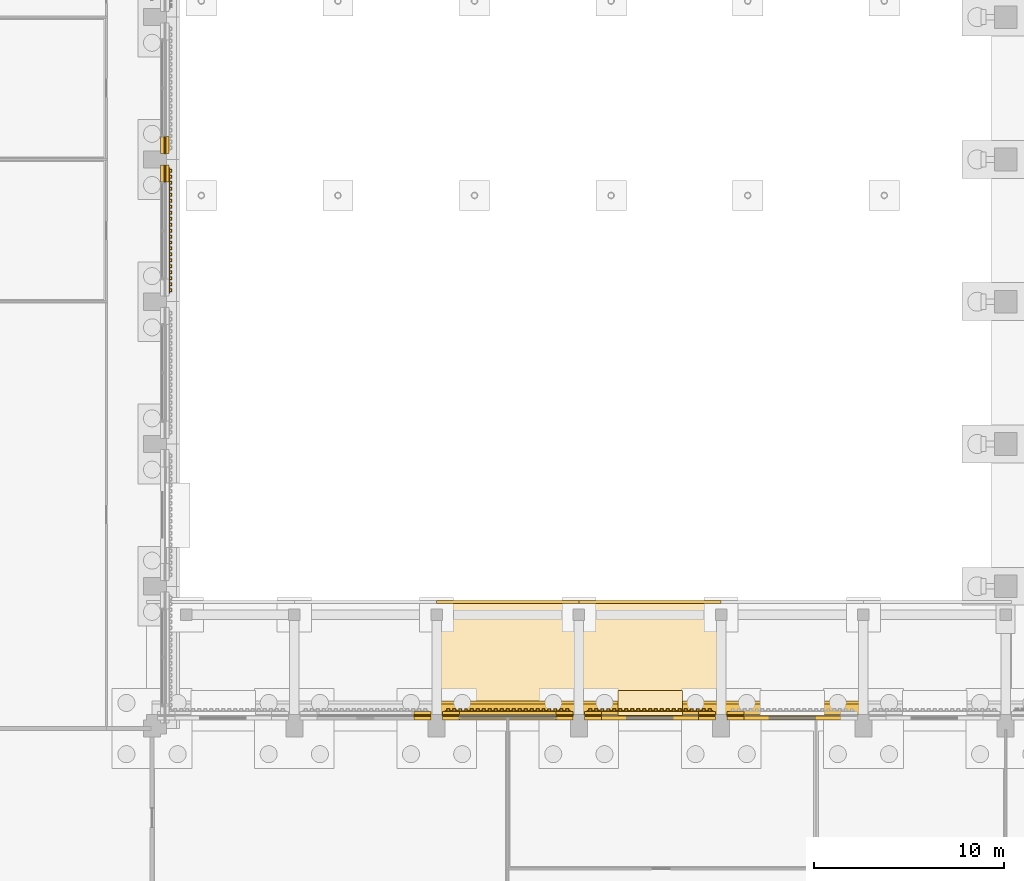
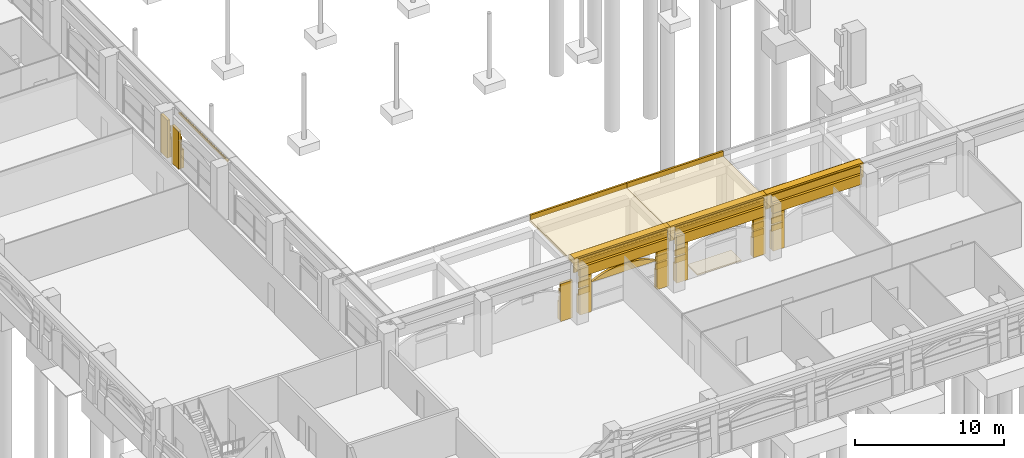
# One storey, part 73 of 99: 47 coverings, 1 element without a shape of its own.
"""IFC4 building model written with IfcOpenShell, lengths in metres."""

from ifc_helpers import new_model, si_unit, direction, frame, origin, place, context, subcontext, project, spatial, polyline, outline, extrude, material, layer, layer_set, type_object, element, aggregate, save


model = new_model("IFC4")

# Units and contexts
model_context = context("Model", 3, precision=1e-05, world=origin(), true_north=direction((0.0, 1.0)))
body_context = subcontext(model_context, "Body", "Model", "MODEL_VIEW")
ifc_project = project(units=[si_unit("LENGTHUNIT", "METRE"), si_unit("AREAUNIT", "SQUARE_METRE"), si_unit("VOLUMEUNIT", "CUBIC_METRE"), si_unit("PLANEANGLEUNIT", "RADIAN"), si_unit("MASSUNIT", "GRAM", prefix="KILO")], contexts=[model_context])

# Site, building, storey
site_placement = place(None, origin())
site = spatial("IfcSite", under=ifc_project, at=site_placement, CompositionType="ELEMENT")
building_placement = place(site_placement, origin())
building = spatial("IfcBuilding", under=site, at=building_placement, Name="Cour d'Honneur Mobility Palace", CompositionType="ELEMENT")
storey_placement = place(building_placement, origin())
storey = spatial("IfcBuildingStorey", under=building, at=storey_placement, Name="L00", CompositionType="ELEMENT", Elevation=0.0)

# Roof, coverings
ifc_material_1 = material(Name="Concrete C50", Category="concrete")
ifc_layer_1 = layer(ifc_material_1, 0.199951171875)
ifc_layer_set_1 = layer_set([ifc_layer_1], Name="Concrete C50")
roof_type = type_object("IfcRoofType", Name="Arcade canopy", PredefinedType="FLAT_ROOF", material=ifc_layer_set_1)
roof_placement = place(storey_placement, origin())
roof = element("IfcRoof", 1, at=roof_placement, inside=storey, type_object=roof_type, Name="Arcade canopy W", PredefinedType="FLAT_ROOF")
ifc_material_2 = material(Name="Concrete C50", Category="concrete")
ifc_layer_2 = layer(ifc_material_2, 0.199951171875)
ifc_layer_set_2 = layer_set([ifc_layer_2], Name="Concrete C50")
covering_type_1 = type_object("IfcCoveringType", Name="Arcade canopy slab 200", PredefinedType="ROOFING", material=ifc_layer_set_2)
covering_1_placement = place(storey_placement, frame((0.0, 0.0, 4.0)))
covering_1 = element("IfcCovering", 2, at=covering_1_placement, type_object=covering_type_1, Name="Arcade canopy slab AS-W3", PredefinedType="ROOFING", context=body_context, shape_type="SweptSolid", body=[
    extrude(outline(polyline([(32.39990234375, 63.14990234375), (39.89990234375, 63.14990234375), (39.89990234375, 69.14990234375), (32.39990234375, 69.14990234375), (32.39990234375, 63.14990234375)])), origin(), (0.0, 0.0, 1.0), 0.199951171875),
])
covering_2_placement = place(storey_placement, frame((0.0, 0.0, 4.0)))
covering_2 = element("IfcCovering", 3, at=covering_2_placement, type_object=covering_type_1, Name="Arcade canopy slab AS-W4", PredefinedType="ROOFING", context=body_context, shape_type="SweptSolid", body=[
    extrude(outline(polyline([(39.89990234375, 63.14990234375), (47.39990234375, 63.14990234375), (47.39990234375, 69.14990234375), (39.89990234375, 69.14990234375), (39.89990234375, 63.14990234375)])), origin(), (0.0, 0.0, 1.0), 0.199951171875),
])
ifc_material_3 = material(Name="Concrete C50", Category="concrete")
ifc_layer_3 = layer(ifc_material_3, 0.14990234375)
ifc_layer_set_3 = layer_set([ifc_layer_3], Name="Concrete C50")
covering_type_2 = type_object("IfcCoveringType", Name="Arcade parapet 400", PredefinedType="CLADDING", material=ifc_layer_set_3)
covering_3_placement = place(storey_placement, frame((0.0, 0.0, 4.199951171875)))
covering_3 = element("IfcCovering", 4, at=covering_3_placement, type_object=covering_type_2, Name="Arcade parapet AP-W3", PredefinedType="CLADDING", context=body_context, shape_type="SweptSolid", body=[
    extrude(outline(polyline([(32.39990234375, 69.0), (39.89990234375, 69.0), (39.89990234375, 69.14990234375), (32.39990234375, 69.14990234375), (32.39990234375, 69.0)])), origin(), (0.0, 0.0, 1.0), 0.400146484375),
])
covering_4_placement = place(storey_placement, frame((0.0, 0.0, 4.199951171875)))
covering_4 = element("IfcCovering", 5, at=covering_4_placement, type_object=covering_type_2, Name="Arcade parapet AP-W4", PredefinedType="CLADDING", context=body_context, shape_type="SweptSolid", body=[
    extrude(outline(polyline([(39.89990234375, 69.0), (47.39990234375, 69.0), (47.39990234375, 69.14990234375), (39.89990234375, 69.14990234375), (39.89990234375, 69.0)])), origin(), (0.0, 0.0, 1.0), 0.400146484375),
])
aggregate(roof, [covering_1, covering_3, covering_2, covering_4])

# Coverings
ifc_material_4 = material(Name="Cast limestone", Category="masonry")
ifc_layer_4 = layer(ifc_material_4, 0.199951171875)
ifc_layer_set_4 = layer_set([ifc_layer_4], Name="Cast limestone")
covering_type_3 = type_object("IfcCoveringType", Name="Arch tympanum panel", PredefinedType="CLADDING", material=ifc_layer_set_4)
covering_5_placement = place(storey_placement, frame((38.699951171875, 63.050048828125, 2.39990234375), z_axis=(0.0, 1.0, 0.0), x_axis=(-1.0, 0.0, 0.0)))
element("IfcCovering", 6, at=covering_5_placement, inside=storey, type_object=covering_type_3, Name="Arch tympanum panel TP-9", PredefinedType="CLADDING", context=body_context, shape_type="SweptSolid", body=[
    extrude(outline(polyline([(0.0, 0.0), (5.099853515625, 0.0), (5.099853515625, 0.0), (4.78125, 0.160400390625), (4.46240234375, 0.294921875), (4.143798828125, 0.406005859375), (3.824951171875, 0.495361328125), (3.506103515625, 0.5634765625), (3.1875, 0.61181640625), (2.86865234375, 0.640625), (2.550048828125, 0.650146484375), (2.231201171875, 0.640625), (1.912353515625, 0.61181640625), (1.59375, 0.5634765625), (1.27490234375, 0.495361328125), (0.956298828125, 0.406005859375), (0.637451171875, 0.294921875), (0.318603515625, 0.160400390625), (0.0, 0.0), (0.0, 0.0)])), origin(), (0.0, 0.0, -1.0), 0.199951171875),
])
ifc_material_5 = material(Name="Cast limestone", Category="masonry")
ifc_layer_5 = layer(ifc_material_5, 0.14990234375)
ifc_layer_set_5 = layer_set([ifc_layer_5], Name="Cast limestone")
covering_type_4 = type_object("IfcCoveringType", Name="Dentil course", PredefinedType="CLADDING", material=ifc_layer_set_5)
covering_6_placement = place(storey_placement, frame((0.0, 0.0, 3.949951171875)))
element("IfcCovering", 7, at=covering_6_placement, inside=storey, type_object=covering_type_4, Name="Dentil course DC-51", PredefinedType="CLADDING", context=body_context, shape_type="SweptSolid", body=[
    extrude(outline(polyline([(46.949951171875, 63.300048828125), (40.35009765625, 63.300048828125), (40.35009765625, 63.330078125), (40.35009765625, 63.330078125), (40.428466796875, 63.330078125), (40.428466796875, 63.449951171875), (40.585693359375, 63.449951171875), (40.585693359375, 63.330078125), (40.664306640625, 63.330078125), (40.664306640625, 63.330078125), (40.742919921875, 63.330078125), (40.742919921875, 63.449951171875), (40.89990234375, 63.449951171875), (40.89990234375, 63.330078125), (40.978515625, 63.330078125), (40.978515625, 63.330078125), (41.05712890625, 63.330078125), (41.05712890625, 63.449951171875), (41.21435546875, 63.449951171875), (41.21435546875, 63.330078125), (41.29296875, 63.330078125), (41.29296875, 63.330078125), (41.371337890625, 63.330078125), (41.371337890625, 63.449951171875), (41.528564453125, 63.449951171875), (41.528564453125, 63.330078125), (41.607177734375, 63.330078125), (41.607177734375, 63.330078125), (41.685791015625, 63.330078125), (41.685791015625, 63.449951171875), (41.8427734375, 63.449951171875), (41.8427734375, 63.330078125), (41.92138671875, 63.330078125), (41.92138671875, 63.330078125), (42.0, 63.330078125), (42.0, 63.449951171875), (42.1572265625, 63.449951171875), (42.1572265625, 63.330078125), (42.235595703125, 63.330078125), (42.235595703125, 63.330078125), (42.314208984375, 63.330078125), (42.314208984375, 63.449951171875), (42.471435546875, 63.449951171875), (42.471435546875, 63.330078125), (42.550048828125, 63.330078125), (42.550048828125, 63.330078125), (42.628662109375, 63.330078125), (42.628662109375, 63.449951171875), (42.78564453125, 63.449951171875), (42.78564453125, 63.330078125), (42.8642578125, 63.330078125), (42.8642578125, 63.330078125), (42.94287109375, 63.330078125), (42.94287109375, 63.449951171875), (43.10009765625, 63.449951171875), (43.10009765625, 63.330078125), (43.178466796875, 63.330078125), (43.178466796875, 63.330078125), (43.257080078125, 63.330078125), (43.257080078125, 63.449951171875), (43.414306640625, 63.449951171875), (43.414306640625, 63.330078125), (43.492919921875, 63.330078125), (43.492919921875, 63.330078125), (43.571533203125, 63.330078125), (43.571533203125, 63.449951171875), (43.728515625, 63.449951171875), (43.728515625, 63.330078125), (43.80712890625, 63.330078125), (43.80712890625, 63.330078125), (43.8857421875, 63.330078125), (43.8857421875, 63.449951171875), (44.04296875, 63.449951171875), (44.04296875, 63.330078125), (44.121337890625, 63.330078125), (44.121337890625, 63.330078125), (44.199951171875, 63.330078125), (44.199951171875, 63.449951171875), (44.357177734375, 63.449951171875), (44.357177734375, 63.330078125), (44.435791015625, 63.330078125), (44.435791015625, 63.330078125), (44.514404296875, 63.330078125), (44.514404296875, 63.449951171875), (44.67138671875, 63.449951171875), (44.67138671875, 63.330078125), (44.75, 63.330078125), (44.75, 63.330078125), (44.82861328125, 63.330078125), (44.82861328125, 63.449951171875), (44.985595703125, 63.449951171875), (44.985595703125, 63.330078125), (45.064208984375, 63.330078125), (45.064208984375, 63.330078125), (45.142822265625, 63.330078125), (45.142822265625, 63.449951171875), (45.300048828125, 63.449951171875), (45.300048828125, 63.330078125), (45.378662109375, 63.330078125), (45.378662109375, 63.330078125), (45.45703125, 63.330078125), (45.45703125, 63.449951171875), (45.6142578125, 63.449951171875), (45.6142578125, 63.330078125), (45.69287109375, 63.330078125), (45.69287109375, 63.330078125), (45.771484375, 63.330078125), (45.771484375, 63.449951171875), (45.928466796875, 63.449951171875), (45.928466796875, 63.330078125), (46.007080078125, 63.330078125), (46.007080078125, 63.330078125), (46.085693359375, 63.330078125), (46.085693359375, 63.449951171875), (46.242919921875, 63.449951171875), (46.242919921875, 63.330078125), (46.321533203125, 63.330078125), (46.321533203125, 63.330078125), (46.39990234375, 63.330078125), (46.39990234375, 63.449951171875), (46.55712890625, 63.449951171875), (46.55712890625, 63.330078125), (46.6357421875, 63.330078125), (46.6357421875, 63.330078125), (46.71435546875, 63.330078125), (46.71435546875, 63.449951171875), (46.871337890625, 63.449951171875), (46.871337890625, 63.330078125), (46.949951171875, 63.330078125), (46.949951171875, 63.300048828125)])), origin(), (0.0, 0.0, 1.0), 0.150146484375),
])
covering_7_placement = place(storey_placement, frame((0.0, 0.0, 3.949951171875)))
element("IfcCovering", 8, at=covering_7_placement, inside=storey, type_object=covering_type_4, Name="Dentil course DC-52", PredefinedType="CLADDING", context=body_context, shape_type="SweptSolid", body=[
    extrude(outline(polyline([(39.449951171875, 63.300048828125), (32.85009765625, 63.300048828125), (32.85009765625, 63.330078125), (32.85009765625, 63.330078125), (32.928466796875, 63.330078125), (32.928466796875, 63.449951171875), (33.085693359375, 63.449951171875), (33.085693359375, 63.330078125), (33.164306640625, 63.330078125), (33.164306640625, 63.330078125), (33.242919921875, 63.330078125), (33.242919921875, 63.449951171875), (33.39990234375, 63.449951171875), (33.39990234375, 63.330078125), (33.478515625, 63.330078125), (33.478515625, 63.330078125), (33.55712890625, 63.330078125), (33.55712890625, 63.449951171875), (33.71435546875, 63.449951171875), (33.71435546875, 63.330078125), (33.79296875, 63.330078125), (33.79296875, 63.330078125), (33.871337890625, 63.330078125), (33.871337890625, 63.449951171875), (34.028564453125, 63.449951171875), (34.028564453125, 63.330078125), (34.107177734375, 63.330078125), (34.107177734375, 63.330078125), (34.185791015625, 63.330078125), (34.185791015625, 63.449951171875), (34.3427734375, 63.449951171875), (34.3427734375, 63.330078125), (34.42138671875, 63.330078125), (34.42138671875, 63.330078125), (34.5, 63.330078125), (34.5, 63.449951171875), (34.6572265625, 63.449951171875), (34.6572265625, 63.330078125), (34.735595703125, 63.330078125), (34.735595703125, 63.330078125), (34.814208984375, 63.330078125), (34.814208984375, 63.449951171875), (34.971435546875, 63.449951171875), (34.971435546875, 63.330078125), (35.050048828125, 63.330078125), (35.050048828125, 63.330078125), (35.128662109375, 63.330078125), (35.128662109375, 63.449951171875), (35.28564453125, 63.449951171875), (35.28564453125, 63.330078125), (35.3642578125, 63.330078125), (35.3642578125, 63.330078125), (35.44287109375, 63.330078125), (35.44287109375, 63.449951171875), (35.60009765625, 63.449951171875), (35.60009765625, 63.330078125), (35.678466796875, 63.330078125), (35.678466796875, 63.330078125), (35.757080078125, 63.330078125), (35.757080078125, 63.449951171875), (35.914306640625, 63.449951171875), (35.914306640625, 63.330078125), (35.992919921875, 63.330078125), (35.992919921875, 63.330078125), (36.071533203125, 63.330078125), (36.071533203125, 63.449951171875), (36.228515625, 63.449951171875), (36.228515625, 63.330078125), (36.30712890625, 63.330078125), (36.30712890625, 63.330078125), (36.3857421875, 63.330078125), (36.3857421875, 63.449951171875), (36.54296875, 63.449951171875), (36.54296875, 63.330078125), (36.621337890625, 63.330078125), (36.621337890625, 63.330078125), (36.699951171875, 63.330078125), (36.699951171875, 63.449951171875), (36.857177734375, 63.449951171875), (36.857177734375, 63.330078125), (36.935791015625, 63.330078125), (36.935791015625, 63.330078125), (37.014404296875, 63.330078125), (37.014404296875, 63.449951171875), (37.17138671875, 63.449951171875), (37.17138671875, 63.330078125), (37.25, 63.330078125), (37.25, 63.330078125), (37.32861328125, 63.330078125), (37.32861328125, 63.449951171875), (37.485595703125, 63.449951171875), (37.485595703125, 63.330078125), (37.564208984375, 63.330078125), (37.564208984375, 63.330078125), (37.642822265625, 63.330078125), (37.642822265625, 63.449951171875), (37.800048828125, 63.449951171875), (37.800048828125, 63.330078125), (37.878662109375, 63.330078125), (37.878662109375, 63.330078125), (37.95703125, 63.330078125), (37.95703125, 63.449951171875), (38.1142578125, 63.449951171875), (38.1142578125, 63.330078125), (38.19287109375, 63.330078125), (38.19287109375, 63.330078125), (38.271484375, 63.330078125), (38.271484375, 63.449951171875), (38.428466796875, 63.449951171875), (38.428466796875, 63.330078125), (38.507080078125, 63.330078125), (38.507080078125, 63.330078125), (38.585693359375, 63.330078125), (38.585693359375, 63.449951171875), (38.742919921875, 63.449951171875), (38.742919921875, 63.330078125), (38.821533203125, 63.330078125), (38.821533203125, 63.330078125), (38.89990234375, 63.330078125), (38.89990234375, 63.449951171875), (39.05712890625, 63.449951171875), (39.05712890625, 63.330078125), (39.1357421875, 63.330078125), (39.1357421875, 63.330078125), (39.21435546875, 63.330078125), (39.21435546875, 63.449951171875), (39.371337890625, 63.449951171875), (39.371337890625, 63.330078125), (39.449951171875, 63.330078125), (39.449951171875, 63.300048828125)])), origin(), (0.0, 0.0, 1.0), 0.150146484375),
])
covering_8_placement = place(storey_placement, frame((0.0, 0.0, 3.949951171875)))
element("IfcCovering", 9, at=covering_8_placement, inside=storey, type_object=covering_type_4, Name="Dentil course DC-58", PredefinedType="CLADDING", context=body_context, shape_type="SweptSolid", body=[
    extrude(outline(polyline([(18.300048828125, 85.35009765625), (18.300048828125, 91.949951171875), (18.330078125, 91.949951171875), (18.330078125, 91.949951171875), (18.330078125, 91.871337890625), (18.449951171875, 91.871337890625), (18.449951171875, 91.71435546875), (18.330078125, 91.71435546875), (18.330078125, 91.6357421875), (18.330078125, 91.6357421875), (18.330078125, 91.55712890625), (18.449951171875, 91.55712890625), (18.449951171875, 91.39990234375), (18.330078125, 91.39990234375), (18.330078125, 91.321533203125), (18.330078125, 91.321533203125), (18.330078125, 91.242919921875), (18.449951171875, 91.242919921875), (18.449951171875, 91.085693359375), (18.330078125, 91.085693359375), (18.330078125, 91.007080078125), (18.330078125, 91.007080078125), (18.330078125, 90.928466796875), (18.449951171875, 90.928466796875), (18.449951171875, 90.771484375), (18.330078125, 90.771484375), (18.330078125, 90.69287109375), (18.330078125, 90.69287109375), (18.330078125, 90.6142578125), (18.449951171875, 90.6142578125), (18.449951171875, 90.45703125), (18.330078125, 90.45703125), (18.330078125, 90.378662109375), (18.330078125, 90.378662109375), (18.330078125, 90.300048828125), (18.449951171875, 90.300048828125), (18.449951171875, 90.142822265625), (18.330078125, 90.142822265625), (18.330078125, 90.064208984375), (18.330078125, 90.064208984375), (18.330078125, 89.985595703125), (18.449951171875, 89.985595703125), (18.449951171875, 89.82861328125), (18.330078125, 89.82861328125), (18.330078125, 89.75), (18.330078125, 89.75), (18.330078125, 89.67138671875), (18.449951171875, 89.67138671875), (18.449951171875, 89.514404296875), (18.330078125, 89.514404296875), (18.330078125, 89.435791015625), (18.330078125, 89.435791015625), (18.330078125, 89.357177734375), (18.449951171875, 89.357177734375), (18.449951171875, 89.199951171875), (18.330078125, 89.199951171875), (18.330078125, 89.121337890625), (18.330078125, 89.121337890625), (18.330078125, 89.04296875), (18.449951171875, 89.04296875), (18.449951171875, 88.8857421875), (18.330078125, 88.8857421875), (18.330078125, 88.80712890625), (18.330078125, 88.80712890625), (18.330078125, 88.728515625), (18.449951171875, 88.728515625), (18.449951171875, 88.571533203125), (18.330078125, 88.571533203125), (18.330078125, 88.492919921875), (18.330078125, 88.492919921875), (18.330078125, 88.414306640625), (18.449951171875, 88.414306640625), (18.449951171875, 88.257080078125), (18.330078125, 88.257080078125), (18.330078125, 88.178466796875), (18.330078125, 88.178466796875), (18.330078125, 88.10009765625), (18.449951171875, 88.10009765625), (18.449951171875, 87.94287109375), (18.330078125, 87.94287109375), (18.330078125, 87.8642578125), (18.330078125, 87.8642578125), (18.330078125, 87.78564453125), (18.449951171875, 87.78564453125), (18.449951171875, 87.628662109375), (18.330078125, 87.628662109375), (18.330078125, 87.550048828125), (18.330078125, 87.550048828125), (18.330078125, 87.471435546875), (18.449951171875, 87.471435546875), (18.449951171875, 87.314208984375), (18.330078125, 87.314208984375), (18.330078125, 87.235595703125), (18.330078125, 87.235595703125), (18.330078125, 87.1572265625), (18.449951171875, 87.1572265625), (18.449951171875, 87.0), (18.330078125, 87.0), (18.330078125, 86.92138671875), (18.330078125, 86.92138671875), (18.330078125, 86.8427734375), (18.449951171875, 86.8427734375), (18.449951171875, 86.685791015625), (18.330078125, 86.685791015625), (18.330078125, 86.607177734375), (18.330078125, 86.607177734375), (18.330078125, 86.528564453125), (18.449951171875, 86.528564453125), (18.449951171875, 86.371337890625), (18.330078125, 86.371337890625), (18.330078125, 86.29296875), (18.330078125, 86.29296875), (18.330078125, 86.21435546875), (18.449951171875, 86.21435546875), (18.449951171875, 86.05712890625), (18.330078125, 86.05712890625), (18.330078125, 85.978515625), (18.330078125, 85.978515625), (18.330078125, 85.89990234375), (18.449951171875, 85.89990234375), (18.449951171875, 85.742919921875), (18.330078125, 85.742919921875), (18.330078125, 85.664306640625), (18.330078125, 85.664306640625), (18.330078125, 85.585693359375), (18.449951171875, 85.585693359375), (18.449951171875, 85.428466796875), (18.330078125, 85.428466796875), (18.330078125, 85.35009765625), (18.300048828125, 85.35009765625)])), origin(), (0.0, 0.0, 1.0), 0.150146484375),
])
ifc_material_6 = material(Name="Cast limestone", Category="masonry")
ifc_layer_6 = layer(ifc_material_6, 0.699951171875)
ifc_layer_set_6 = layer_set([ifc_layer_6], Name="Cast limestone")
covering_type_5 = type_object("IfcCoveringType", Name="Entablature", PredefinedType="CLADDING", material=ifc_layer_set_6)
for number, where, z_axis, x_axis, name in (
    (10, (54.89990234375, 63.14990234375, 3.39990234375), (1.0, 0.0, 0.0), (0.0, 1.0, 0.0), "Entablature EN-50"),
    (11, (47.39990234375, 63.14990234375, 3.39990234375), (1.0, 0.0, 0.0), (0.0, 1.0, 0.0), "Entablature EN-51"),
    (12, (39.89990234375, 63.14990234375, 3.39990234375), (1.0, 0.0, 0.0), (0.0, 1.0, 0.0), "Entablature EN-52"),
):
    element("IfcCovering", number, at=place(storey_placement, frame(where, z_axis=z_axis, x_axis=x_axis)), inside=storey, type_object=covering_type_5, Name=name, PredefinedType="CLADDING", context=body_context, shape_type="SweptSolid", body=[
        extrude(outline(polyline([(0.0, 0.0), (0.150146484375, 0.0), (0.150146484375, 0.7001953125), (0.7001953125, 0.7001953125), (0.7001953125, 1.10009765625), (0.550048828125, 1.2001953125), (0.0, 1.2001953125), (0.0, 0.0)])), origin(), (0.0, 0.0, -1.0), 7.5),
    ])
ifc_material_7 = material(Name="Granite paving", Category="masonry")
ifc_layer_7 = layer(ifc_material_7, 0.10009765625)
ifc_layer_set_7 = layer_set([ifc_layer_7], Name="Granite paving")
covering_type_6 = type_object("IfcCoveringType", Name="Entrance paving", PredefinedType="FLOORING", material=ifc_layer_set_7)
covering_9_placement = place(storey_placement, frame((0.0, 0.0, -0.10009765625)))
element("IfcCovering", 13, at=covering_9_placement, inside=storey, type_object=covering_type_6, Name="Entrance paving PV-23", PredefinedType="FLOORING", context=body_context, shape_type="SweptSolid", body=[
    extrude(outline(polyline([(45.35009765625, 63.050048828125), (41.949951171875, 63.050048828125), (41.949951171875, 64.39990234375), (45.35009765625, 64.39990234375), (45.35009765625, 63.050048828125)])), origin(), (0.0, 0.0, 1.0), 0.10009765625),
])
ifc_material_8 = material(Name="Cast limestone", Category="masonry")
ifc_layer_8 = layer(ifc_material_8, 0.25)
ifc_layer_set_8 = layer_set([ifc_layer_8], Name="Cast limestone")
covering_type_7 = type_object("IfcCoveringType", Name="Plinth course", PredefinedType="CLADDING", material=ifc_layer_set_8)
covering_10_placement = place(storey_placement, origin())
element("IfcCovering", 14, at=covering_10_placement, inside=storey, type_object=covering_type_7, Name="Plinth course PI-164", PredefinedType="CLADDING", context=body_context, shape_type="SweptSolid", body=[
    extrude(outline(polyline([(48.60009765625, 63.050048828125), (47.699951171875, 63.050048828125), (47.699951171875, 63.300048828125), (48.60009765625, 63.300048828125), (48.60009765625, 63.050048828125)])), origin(), (0.0, 0.0, 1.0), 1.5),
])
covering_11_placement = place(storey_placement, origin())
element("IfcCovering", 15, at=covering_11_placement, inside=storey, type_object=covering_type_7, Name="Plinth course PI-165", PredefinedType="CLADDING", context=body_context, shape_type="SweptSolid", body=[
    extrude(outline(polyline([(47.10009765625, 63.050048828125), (46.199951171875, 63.050048828125), (46.199951171875, 63.300048828125), (47.10009765625, 63.300048828125), (47.10009765625, 63.050048828125)])), origin(), (0.0, 0.0, 1.0), 1.5),
])
covering_12_placement = place(storey_placement, origin())
element("IfcCovering", 16, at=covering_12_placement, inside=storey, type_object=covering_type_7, Name="Plinth course PI-166", PredefinedType="CLADDING", context=body_context, shape_type="SweptSolid", body=[
    extrude(outline(polyline([(41.10009765625, 63.050048828125), (40.199951171875, 63.050048828125), (40.199951171875, 63.300048828125), (41.10009765625, 63.300048828125), (41.10009765625, 63.050048828125)])), origin(), (0.0, 0.0, 1.0), 1.5),
])
covering_13_placement = place(storey_placement, origin())
element("IfcCovering", 17, at=covering_13_placement, inside=storey, type_object=covering_type_7, Name="Plinth course PI-167", PredefinedType="CLADDING", context=body_context, shape_type="SweptSolid", body=[
    extrude(outline(polyline([(39.60009765625, 63.050048828125), (38.699951171875, 63.050048828125), (38.699951171875, 63.300048828125), (39.60009765625, 63.300048828125), (39.60009765625, 63.050048828125)])), origin(), (0.0, 0.0, 1.0), 1.5),
])
covering_14_placement = place(storey_placement, origin())
element("IfcCovering", 18, at=covering_14_placement, inside=storey, type_object=covering_type_7, Name="Plinth course PI-168", PredefinedType="CLADDING", context=body_context, shape_type="SweptSolid", body=[
    extrude(outline(polyline([(33.60009765625, 63.050048828125), (32.699951171875, 63.050048828125), (32.699951171875, 63.300048828125), (33.60009765625, 63.300048828125), (33.60009765625, 63.050048828125)])), origin(), (0.0, 0.0, 1.0), 1.5),
])
covering_15_placement = place(storey_placement, origin())
element("IfcCovering", 19, at=covering_15_placement, inside=storey, type_object=covering_type_7, Name="Plinth course PI-169", PredefinedType="CLADDING", context=body_context, shape_type="SweptSolid", body=[
    extrude(outline(polyline([(32.10009765625, 63.050048828125), (31.199951171875, 63.050048828125), (31.199951171875, 63.300048828125), (32.10009765625, 63.300048828125), (32.10009765625, 63.050048828125)])), origin(), (0.0, 0.0, 1.0), 1.5),
])
covering_16_placement = place(storey_placement, origin())
element("IfcCovering", 20, at=covering_16_placement, inside=storey, type_object=covering_type_7, Name="Plinth course PI-181", PredefinedType="CLADDING", context=body_context, shape_type="SweptSolid", body=[
    extrude(outline(polyline([(18.050048828125, 91.199951171875), (18.050048828125, 92.10009765625), (18.300048828125, 92.10009765625), (18.300048828125, 91.199951171875), (18.050048828125, 91.199951171875)])), origin(), (0.0, 0.0, 1.0), 1.5),
])
covering_17_placement = place(storey_placement, origin())
element("IfcCovering", 21, at=covering_17_placement, inside=storey, type_object=covering_type_7, Name="Plinth course PI-182", PredefinedType="CLADDING", context=body_context, shape_type="SweptSolid", body=[
    extrude(outline(polyline([(18.050048828125, 92.699951171875), (18.050048828125, 93.60009765625), (18.300048828125, 93.60009765625), (18.300048828125, 92.699951171875), (18.050048828125, 92.699951171875)])), origin(), (0.0, 0.0, 1.0), 1.5),
])
ifc_material_9 = material(Name="Cast limestone", Category="masonry")
ifc_layer_9 = layer(ifc_material_9, 0.199951171875)
ifc_layer_set_9 = layer_set([ifc_layer_9], Name="Cast limestone")
covering_type_8 = type_object("IfcCoveringType", Name="Rusticated jamb panel", PredefinedType="CLADDING", material=ifc_layer_set_9)
for number, where, z_axis, x_axis, name in (
    (22, (48.60009765625, 63.050048828125, 0.0), (0.0, 1.0, 0.0), (-1.0, 0.0, 0.0), "Rusticated jamb panel RP-137"),
    (23, (47.10009765625, 63.050048828125, 0.0), (0.0, 1.0, 0.0), (-1.0, 0.0, 0.0), "Rusticated jamb panel RP-138"),
    (24, (41.10009765625, 63.050048828125, 0.0), (0.0, 1.0, 0.0), (-1.0, 0.0, 0.0), "Rusticated jamb panel RP-139"),
    (25, (39.60009765625, 63.050048828125, 0.0), (0.0, 1.0, 0.0), (-1.0, 0.0, 0.0), "Rusticated jamb panel RP-140"),
    (26, (33.60009765625, 63.050048828125, 0.0), (0.0, 1.0, 0.0), (-1.0, 0.0, 0.0), "Rusticated jamb panel RP-141"),
    (27, (32.10009765625, 63.050048828125, 0.0), (0.0, 1.0, 0.0), (-1.0, 0.0, 0.0), "Rusticated jamb panel RP-142"),
    (28, (18.050048828125, 91.199951171875, 0.0), (1.0, 0.0, 0.0), (0.0, 1.0, 0.0), "Rusticated jamb panel RP-153"),
    (29, (18.050048828125, 92.699951171875, 0.0), (1.0, 0.0, 0.0), (0.0, 1.0, 0.0), "Rusticated jamb panel RP-154"),
):
    element("IfcCovering", number, at=place(storey_placement, frame(where, z_axis=z_axis, x_axis=x_axis)), inside=storey, type_object=covering_type_8, Name=name, PredefinedType="CLADDING", context=body_context, shape_type="SweptSolid", body=[
        extrude(outline(polyline([(0.0, 0.0), (0.900146484375, 0.0), (0.900146484375, 3.10009765625), (0.0, 3.10009765625), (0.0, 0.0)])), origin(), (0.0, 0.0, -1.0), 0.199951171875),
    ])
ifc_material_10 = material(Name="Cast limestone", Category="masonry")
ifc_layer_10 = layer(ifc_material_10, 0.080078125)
ifc_layer_set_10 = layer_set([ifc_layer_10], Name="Cast limestone")
covering_type_9 = type_object("IfcCoveringType", Name="Rustication course", PredefinedType="CLADDING", material=ifc_layer_set_10)
for number, where, name in (
    (30, (0.0, 0.0, 1.5), "Rustication course RC-293"),
    (31, (0.0, 0.0, 2.10009765625), "Rustication course RC-294"),
):
    element("IfcCovering", number, at=place(storey_placement, frame(where)), inside=storey, type_object=covering_type_9, Name=name, PredefinedType="CLADDING", context=body_context, shape_type="SweptSolid", body=[
        extrude(outline(polyline([(48.60009765625, 63.050048828125), (47.699951171875, 63.050048828125), (47.699951171875, 63.1298828125), (48.60009765625, 63.1298828125), (48.60009765625, 63.050048828125)])), origin(), (0.0, 0.0, 1.0), 0.47998046875),
    ])
for number, where, name in (
    (32, (0.0, 0.0, 1.5), "Rustication course RC-295"),
    (33, (0.0, 0.0, 2.10009765625), "Rustication course RC-296"),
):
    element("IfcCovering", number, at=place(storey_placement, frame(where)), inside=storey, type_object=covering_type_9, Name=name, PredefinedType="CLADDING", context=body_context, shape_type="SweptSolid", body=[
        extrude(outline(polyline([(47.10009765625, 63.050048828125), (46.199951171875, 63.050048828125), (46.199951171875, 63.1298828125), (47.10009765625, 63.1298828125), (47.10009765625, 63.050048828125)])), origin(), (0.0, 0.0, 1.0), 0.47998046875),
    ])
for number, where, name in (
    (34, (0.0, 0.0, 1.5), "Rustication course RC-297"),
    (35, (0.0, 0.0, 2.10009765625), "Rustication course RC-298"),
):
    element("IfcCovering", number, at=place(storey_placement, frame(where)), inside=storey, type_object=covering_type_9, Name=name, PredefinedType="CLADDING", context=body_context, shape_type="SweptSolid", body=[
        extrude(outline(polyline([(41.10009765625, 63.050048828125), (40.199951171875, 63.050048828125), (40.199951171875, 63.1298828125), (41.10009765625, 63.1298828125), (41.10009765625, 63.050048828125)])), origin(), (0.0, 0.0, 1.0), 0.47998046875),
    ])
for number, where, name in (
    (36, (0.0, 0.0, 1.5), "Rustication course RC-299"),
    (37, (0.0, 0.0, 2.10009765625), "Rustication course RC-300"),
):
    element("IfcCovering", number, at=place(storey_placement, frame(where)), inside=storey, type_object=covering_type_9, Name=name, PredefinedType="CLADDING", context=body_context, shape_type="SweptSolid", body=[
        extrude(outline(polyline([(39.60009765625, 63.050048828125), (38.699951171875, 63.050048828125), (38.699951171875, 63.1298828125), (39.60009765625, 63.1298828125), (39.60009765625, 63.050048828125)])), origin(), (0.0, 0.0, 1.0), 0.47998046875),
    ])
for number, where, name in (
    (38, (0.0, 0.0, 1.5), "Rustication course RC-301"),
    (39, (0.0, 0.0, 2.10009765625), "Rustication course RC-302"),
):
    element("IfcCovering", number, at=place(storey_placement, frame(where)), inside=storey, type_object=covering_type_9, Name=name, PredefinedType="CLADDING", context=body_context, shape_type="SweptSolid", body=[
        extrude(outline(polyline([(33.60009765625, 63.050048828125), (32.699951171875, 63.050048828125), (32.699951171875, 63.1298828125), (33.60009765625, 63.1298828125), (33.60009765625, 63.050048828125)])), origin(), (0.0, 0.0, 1.0), 0.47998046875),
    ])
for number, where, name in (
    (40, (0.0, 0.0, 1.5), "Rustication course RC-303"),
    (41, (0.0, 0.0, 2.10009765625), "Rustication course RC-304"),
):
    element("IfcCovering", number, at=place(storey_placement, frame(where)), inside=storey, type_object=covering_type_9, Name=name, PredefinedType="CLADDING", context=body_context, shape_type="SweptSolid", body=[
        extrude(outline(polyline([(32.10009765625, 63.050048828125), (31.199951171875, 63.050048828125), (31.199951171875, 63.1298828125), (32.10009765625, 63.1298828125), (32.10009765625, 63.050048828125)])), origin(), (0.0, 0.0, 1.0), 0.47998046875),
    ])
for number, where, name in (
    (42, (0.0, 0.0, 1.5), "Rustication course RC-326"),
    (43, (0.0, 0.0, 2.10009765625), "Rustication course RC-327"),
):
    element("IfcCovering", number, at=place(storey_placement, frame(where)), inside=storey, type_object=covering_type_9, Name=name, PredefinedType="CLADDING", context=body_context, shape_type="SweptSolid", body=[
        extrude(outline(polyline([(18.050048828125, 91.199951171875), (18.050048828125, 92.10009765625), (18.1298828125, 92.10009765625), (18.1298828125, 91.199951171875), (18.050048828125, 91.199951171875)])), origin(), (0.0, 0.0, 1.0), 0.47998046875),
    ])
for number, where, name in (
    (44, (0.0, 0.0, 1.5), "Rustication course RC-328"),
    (45, (0.0, 0.0, 2.10009765625), "Rustication course RC-329"),
):
    element("IfcCovering", number, at=place(storey_placement, frame(where)), inside=storey, type_object=covering_type_9, Name=name, PredefinedType="CLADDING", context=body_context, shape_type="SweptSolid", body=[
        extrude(outline(polyline([(18.050048828125, 92.699951171875), (18.050048828125, 93.60009765625), (18.1298828125, 93.60009765625), (18.1298828125, 92.699951171875), (18.050048828125, 92.699951171875)])), origin(), (0.0, 0.0, 1.0), 0.47998046875),
    ])
ifc_material_11 = material(Name="Cast limestone", Category="masonry")
ifc_layer_11 = layer(ifc_material_11, 0.25)
ifc_layer_set_11 = layer_set([ifc_layer_11], Name="Cast limestone")
covering_type_10 = type_object("IfcCoveringType", Name="Spandrel cladding", PredefinedType="CLADDING", material=ifc_layer_set_11)
for number, where, z_axis, x_axis, name in (
    (46, (54.60009765625, 62.85009765625, 3.10009765625), (1.0, 0.0, 0.0), (0.0, 1.0, 0.0), "Spandrel cladding SK-50"),
    (47, (47.10009765625, 62.85009765625, 3.10009765625), (1.0, 0.0, 0.0), (0.0, 1.0, 0.0), "Spandrel cladding SK-51"),
    (48, (39.60009765625, 62.85009765625, 3.10009765625), (1.0, 0.0, 0.0), (0.0, 1.0, 0.0), "Spandrel cladding SK-52"),
):
    element("IfcCovering", number, at=place(storey_placement, frame(where, z_axis=z_axis, x_axis=x_axis)), inside=storey, type_object=covering_type_10, Name=name, PredefinedType="CLADDING", context=body_context, shape_type="SweptSolid", body=[
        extrude(outline(polyline([(0.0, 0.0), (0.25, 0.0), (0.25, 1.39990234375), (0.199951171875, 1.39990234375), (0.199951171875, 0.7998046875), (0.0, 0.7998046875), (0.0, 0.0)])), origin(), (0.0, 0.0, -1.0), 6.89990234375),
    ])

save(model, "model.ifc")
